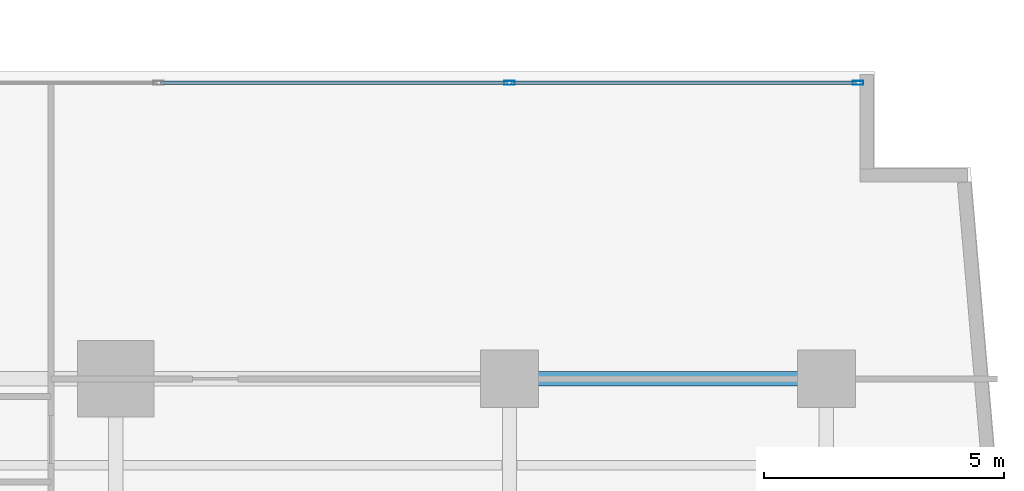
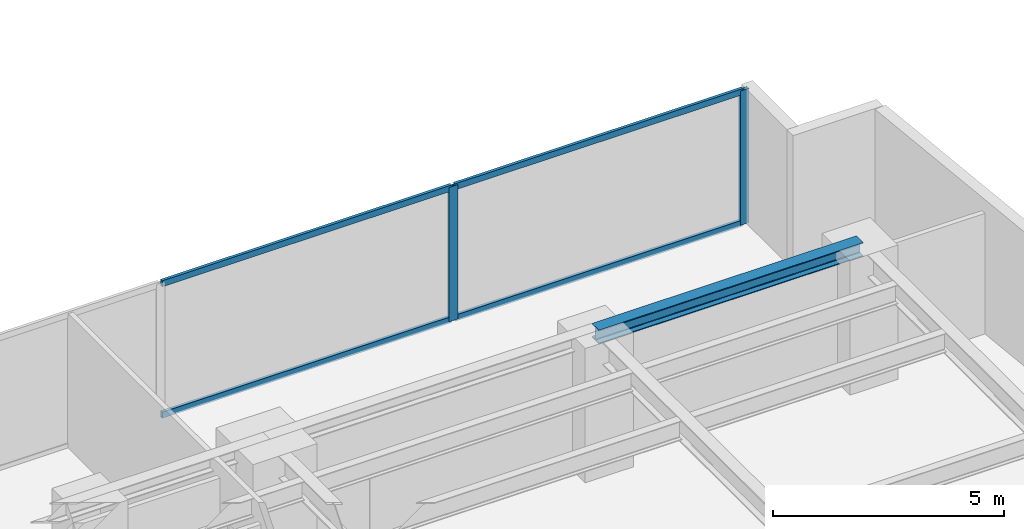
# One storey, part 14 of 27: 6 members, 1 beam, 1 element without a shape of its own.
"""IFC4 building model written with IfcOpenShell, lengths in metres."""

from ifc_helpers import new_model, si_unit, direction, frame, origin, origin_with_axes, origin_2d, place, context, subcontext, project, spatial, hollow_rectangle, i_section, extrude, source, transform, mapped, material, layer, layer_set, material_profile, profile_set, type_object, element, aggregate, save


model = new_model("IFC4")

# Units and contexts
model_context = context("Model", 3, precision=1e-05, world=origin(), true_north=direction((0.0, 1.0)))
body_context = subcontext(model_context, "Body", "Model", "MODEL_VIEW")
ifc_project = project(units=[si_unit("LENGTHUNIT", "METRE"), si_unit("AREAUNIT", "SQUARE_METRE"), si_unit("VOLUMEUNIT", "CUBIC_METRE"), si_unit("PLANEANGLEUNIT", "RADIAN"), si_unit("MASSUNIT", "GRAM", prefix="KILO")], contexts=[model_context])

# Site, building, storey
site_placement = place(None, origin())
site = spatial("IfcSite", under=ifc_project, at=site_placement, CompositionType="ELEMENT")
building_placement = place(site_placement, origin())
building = spatial("IfcBuilding", under=site, at=building_placement, Name="Kolvaren Waterfront Exchange", CompositionType="ELEMENT")
storey_placement = place(building_placement, frame((0.0, 0.0, 33.39990234375)))
storey = spatial("IfcBuildingStorey", under=building, at=storey_placement, Name="L08", CompositionType="ELEMENT", Elevation=33.39990234375)

# Beam
ifc_material_1 = material(Name="Steel S355", Category="steel")
ifc_material_profile_1 = material_profile(ifc_material_1, i_section(OverallWidth=0.300048828125, OverallDepth=0.360107421875, WebThickness=0.012451171875, FlangeThickness=0.0224609375, FilletRadius=0.027099609375, at=origin_2d()), Name="HEB360")
ifc_profile_set_1 = profile_set([ifc_material_profile_1], Name="Steel S355")
beam_type = type_object("IfcBeamType", Name="STR-BM-HEB360", PredefinedType="SPANDREL", material=ifc_profile_set_1)
beam_placement = place(storey_placement, frame((53.800048828125, 17.39990234375, 3.360107421875), z_axis=(1.0, 0.0, 0.0), x_axis=(0.0, 1.0, 0.0)))
element("IfcBeam", 1, at=beam_placement, inside=storey, type_object=beam_type, Name="L08 east-arm spandrel N5", PredefinedType="SPANDREL", context=body_context, shape_type="SweptSolid", body=[
    extrude(i_section(OverallWidth=0.300048828125, OverallDepth=0.360107421875, WebThickness=0.012451171875, FlangeThickness=0.0224609375, FilletRadius=0.027099609375, at=origin_2d()), origin(), (0.0, 0.0, 1.0), 6.599853515625),
])

# Curtain wall, members
ifc_material_2 = material(Name="Anodised bronze aluminium 6063-T6", Category="aluminium")
ifc_layer = layer(ifc_material_2, 0.219970703125, Name="Anodised bronze aluminium 6063-T6")
ifc_layer_set = layer_set([ifc_layer], Name="Anodised bronze aluminium 6063-T6")
curtain_wall_type = type_object("IfcCurtainWallType", Name="ARC-CW-SYS1", PredefinedType="USERDEFINED", material=ifc_layer_set)
curtain_wall_placement = place(storey_placement, origin())
curtain_wall = element("IfcCurtainWall", 2, at=curtain_wall_placement, inside=storey, type_object=curtain_wall_type, Name="L08 stick curtain wall CW1 (CW-L08-EN)", ObjectType="STICK CURTAIN WALL", PredefinedType="USERDEFINED")
ifc_material_3 = material(Name="Anodised aluminium 6063-T6", Category="aluminium")
ifc_material_profile_2 = material_profile(ifc_material_3, hollow_rectangle(XDim=0.074951171875, YDim=0.159912109375, WallThickness=0.00439453125, at=origin_2d()), Name="ALU-TRN-160x75x4.5")
ifc_profile_set_2 = profile_set([ifc_material_profile_2], Name="Anodised aluminium 6063-T6")
member_type_1 = type_object("IfcMemberType", Name="ARC-CWT-160", PredefinedType="USERDEFINED", material=ifc_profile_set_2)
shared_shape_1 = source(origin_with_axes(), body_context, "Body", "SweptSolid", [
    extrude(hollow_rectangle(XDim=0.074951171875, YDim=0.159912109375, WallThickness=0.00439453125, at=origin_2d()), origin(), (0.0, 0.0, 1.0), 7.1826171875),
])
member_1_placement = place(storey_placement, frame((53.83740234375, 23.56005859375, 0.03759765625), z_axis=(1.0, 0.0, 0.0), x_axis=(0.0, 1.0, 0.0)))
member_1 = element("IfcMember", 3, at=member_1_placement, type_object=member_type_1, Name="CW1 transom 4.1", ObjectType="TRANSOM", PredefinedType="USERDEFINED", context=body_context, shape_type="MappedRepresentation", body=[
    mapped(shared_shape_1, transform((0.0, 0.0, 0.0), x_axis=(1.0, 0.0, 0.0), y_axis=(0.0, 1.0, 0.0), z_axis=(0.0, 0.0, 1.0), scale=1.0)),
])
member_2_placement = place(storey_placement, frame((53.83740234375, 23.56005859375, 3.502685546875), z_axis=(1.0, 0.0, 0.0), x_axis=(0.0, 1.0, 0.0)))
member_2 = element("IfcMember", 4, at=member_2_placement, type_object=member_type_1, Name="CW1 transom 4.2", ObjectType="TRANSOM", PredefinedType="USERDEFINED", context=body_context, shape_type="MappedRepresentation", body=[
    mapped(shared_shape_1, transform((0.0, 0.0, 0.0), x_axis=(1.0, 0.0, 0.0), y_axis=(0.0, 1.0, 0.0), z_axis=(0.0, 0.0, 1.0), scale=1.0)),
])
shared_shape_2 = source(origin_with_axes(), body_context, "Body", "SweptSolid", [
    extrude(hollow_rectangle(XDim=0.074951171875, YDim=0.159912109375, WallThickness=0.00439453125, at=origin_2d()), origin(), (0.0, 0.0, 1.0), 7.22265625),
])
member_3_placement = place(storey_placement, frame((46.534912109375, 23.56005859375, 0.03759765625), z_axis=(1.0, 0.0, 0.0), x_axis=(0.0, 1.0, 0.0)))
member_3 = element("IfcMember", 5, at=member_3_placement, type_object=member_type_1, Name="CW1 transom 3.1", ObjectType="TRANSOM", PredefinedType="USERDEFINED", context=body_context, shape_type="MappedRepresentation", body=[
    mapped(shared_shape_2, transform((0.0, 0.0, 0.0), x_axis=(1.0, 0.0, 0.0), y_axis=(0.0, 1.0, 0.0), z_axis=(0.0, 0.0, 1.0), scale=1.0)),
])
member_4_placement = place(storey_placement, frame((46.534912109375, 23.56005859375, 3.502685546875), z_axis=(1.0, 0.0, 0.0), x_axis=(0.0, 1.0, 0.0)))
member_4 = element("IfcMember", 6, at=member_4_placement, type_object=member_type_1, Name="CW1 transom 3.2", ObjectType="TRANSOM", PredefinedType="USERDEFINED", context=body_context, shape_type="MappedRepresentation", body=[
    mapped(shared_shape_2, transform((0.0, 0.0, 0.0), x_axis=(1.0, 0.0, 0.0), y_axis=(0.0, 1.0, 0.0), z_axis=(0.0, 0.0, 1.0), scale=1.0)),
])
ifc_material_profile_3 = material_profile(ifc_material_3, hollow_rectangle(XDim=0.080078125, YDim=0.219970703125, WallThickness=0.0048828125, at=origin_2d()), Name="ALU-MUL-220x80x5")
ifc_profile_set_3 = profile_set([ifc_material_profile_3], Name="Anodised aluminium 6063-T6")
member_type_2 = type_object("IfcMemberType", Name="ARC-CWM-220", PredefinedType="MULLION", material=ifc_profile_set_3)
shared_shape_3 = source(origin_with_axes(), body_context, "Body", "SweptSolid", [
    extrude(hollow_rectangle(XDim=0.080078125, YDim=0.219970703125, WallThickness=0.0048828125, at=origin_2d()), origin(), (0.0, 0.0, 1.0), 3.5400390625),
])
member_5_placement = place(storey_placement, frame((53.797607421875, 23.56005859375, 0.0), z_axis=(0.0, 0.0, 1.0), x_axis=(0.0, 1.0, 0.0)))
member_5 = element("IfcMember", 7, at=member_5_placement, type_object=member_type_2, Name="CW1 mullion 4", PredefinedType="MULLION", context=body_context, shape_type="MappedRepresentation", body=[
    mapped(shared_shape_3, transform((0.0, 0.0, 0.0), x_axis=(1.0, 0.0, 0.0), y_axis=(0.0, 1.0, 0.0), z_axis=(0.0, 0.0, 1.0), scale=1.0)),
])
member_6_placement = place(storey_placement, frame((61.06005859375, 23.56005859375, 0.0), z_axis=(0.0, 0.0, 1.0), x_axis=(0.0, 1.0, 0.0)))
member_6 = element("IfcMember", 8, at=member_6_placement, type_object=member_type_2, Name="CW1 mullion 5", PredefinedType="MULLION", context=body_context, shape_type="MappedRepresentation", body=[
    mapped(shared_shape_3, transform((0.0, 0.0, 0.0), x_axis=(1.0, 0.0, 0.0), y_axis=(0.0, 1.0, 0.0), z_axis=(0.0, 0.0, 1.0), scale=1.0)),
])
aggregate(curtain_wall, [member_5, member_6, member_3, member_4, member_1, member_2])

save(model, "model.ifc")
